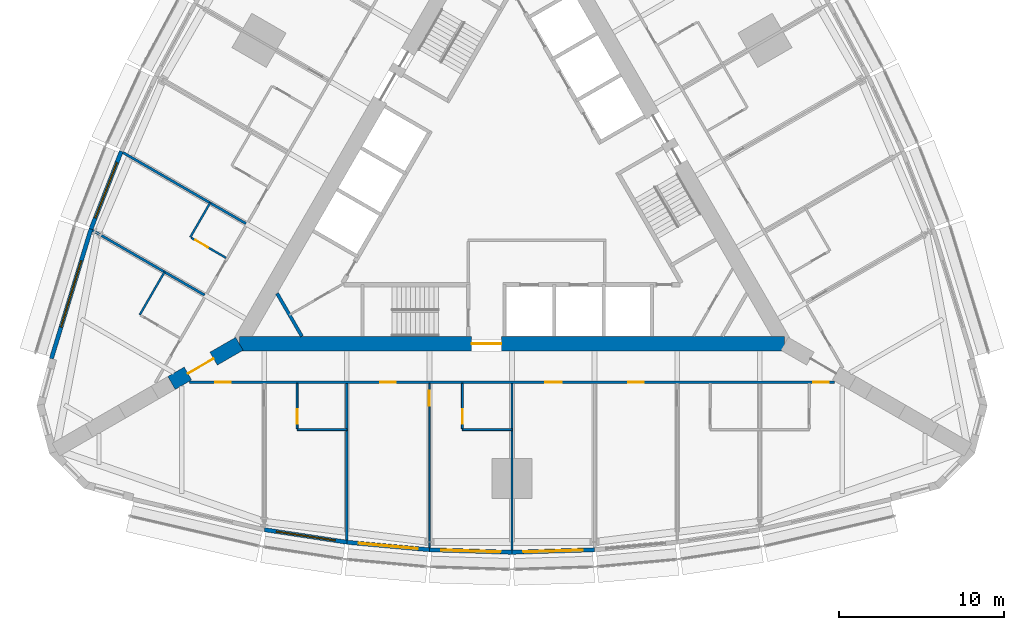
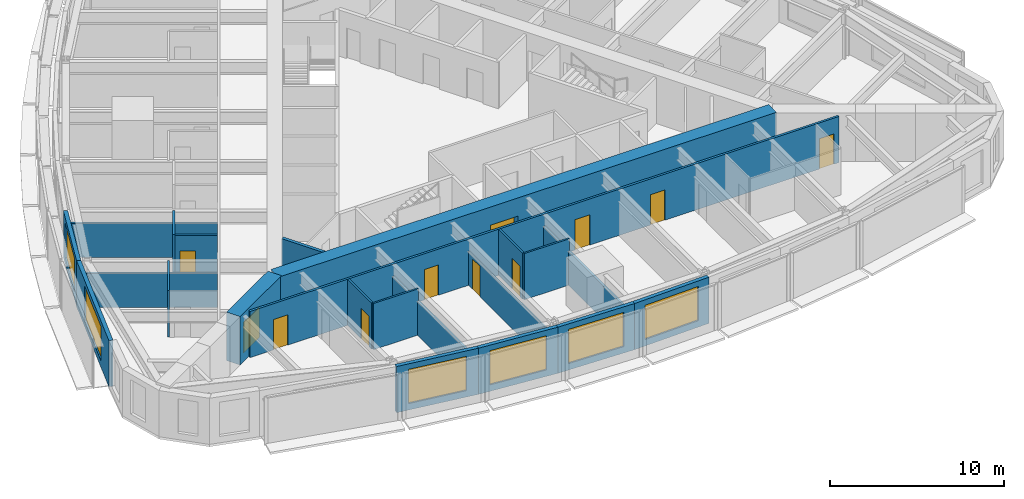
# One storey, part 8 of 14: 22 walls, 11 doors, 6 windows, 17 openings.
"""IFC4 building model written with IfcOpenShell, lengths in metres."""

from ifc_helpers import new_model, si_unit, direction, frame, frame_2d, origin, place, context, subcontext, project, spatial, rectangle, extrude, material, layer, layer_set, type_object, element, fill, save


model = new_model("IFC4")

# Units and contexts
model_context = context("Model", 3, precision=1e-05, world=origin(), true_north=direction((0.0, 1.0)))
body_context = subcontext(model_context, "Body", "Model", "MODEL_VIEW")
ifc_project = project(units=[si_unit("LENGTHUNIT", "METRE"), si_unit("AREAUNIT", "SQUARE_METRE"), si_unit("VOLUMEUNIT", "CUBIC_METRE"), si_unit("PLANEANGLEUNIT", "RADIAN"), si_unit("MASSUNIT", "GRAM", prefix="KILO")], contexts=[model_context])

# Site, building, storey
site_placement = place(None, origin())
site = spatial("IfcSite", under=ifc_project, at=site_placement, CompositionType="ELEMENT")
building_placement = place(site_placement, origin())
building = spatial("IfcBuilding", under=site, at=building_placement, Name="Trikona Tower", CompositionType="ELEMENT")
storey_placement = place(building_placement, frame((0.0, 0.0, 96.5)))
storey = spatial("IfcBuildingStorey", under=building, at=storey_placement, Name="L25", CompositionType="ELEMENT", Elevation=96.5)

# Wall
ifc_material_1 = material(Name="Metal stud and cement board", Category="gypsum")
ifc_layer_1 = layer(ifc_material_1, 0.1201171875)
ifc_layer_set_1 = layer_set([ifc_layer_1], Name="Bathroom wall 120")
wall_type_1 = type_object("IfcWallType", Name="Bathroom wall 120", PredefinedType="PLUMBINGWALL", material=ifc_layer_set_1)
wall_1_placement = place(storey_placement, frame((-13.0, -14.726318359375, 0.0), z_axis=(0.0, 0.0, 1.0), x_axis=(1.0, 0.0, 0.0)))
element("IfcWall", 1, at=wall_1_placement, inside=storey, type_object=wall_type_1, Name="Bathroom wall 2501.1", PredefinedType="PLUMBINGWALL", context=body_context, shape_type="SweptSolid", body=[
    extrude(rectangle(XDim=3.0, YDim=0.1201171875, at=frame_2d((1.5, 0.0))), origin(), (0.0, 0.0, 1.0), 3.235107421875),
])

# Wall, opening, door
wall_2_placement = place(storey_placement, frame((-13.0, -11.92626953125, 0.0), z_axis=(0.0, 0.0, 1.0), x_axis=(0.0, -1.0, 0.0)))
wall_2 = element("IfcWall", 2, at=wall_2_placement, inside=storey, type_object=wall_type_1, Name="Bathroom wall 2501.1", PredefinedType="PLUMBINGWALL", context=body_context, shape_type="SweptSolid", body=[
    extrude(rectangle(XDim=2.739990234375, YDim=0.1201171875, at=frame_2d((1.3701171875, 0.0))), origin(), (0.0, 0.0, 1.0), 3.235107421875),
])
opening_1_placement = place(wall_2_placement, frame((1.550048828125, 0.0, 0.0)))
opening_1 = element("IfcOpeningElement", 3, at=opening_1_placement, cuts=wall_2, Name="Opening D2", PredefinedType="OPENING", context=body_context, shape_type="SweptSolid", body=[
    extrude(rectangle(XDim=0.89990234375, YDim=2.1298828125, at=frame_2d((0.449951171875, 1.06494140625))), frame((0.0, 0.070068359375, 0.0), z_axis=(0.0, -1.0, 0.0), x_axis=(1.0, 0.0, 0.0)), (0.0, 0.0, 1.0), 0.14013671875),
])
ifc_material_2 = material(Name="Steel door frame with solid-core timber leaf", Category="steel")
door_type_1 = type_object("IfcDoorType", Name="Bathroom door 900x2130", OperationType="SLIDING_TO_LEFT", PredefinedType="DOOR", material=ifc_material_2)
door_1_placement = place(opening_1_placement, origin())
door_1 = element("IfcDoor", 4, at=door_1_placement, inside=storey, type_object=door_type_1, Name="Bathroom door 2501.1", OperationType="SLIDING_TO_LEFT", OverallHeight=2.1298828125, OverallWidth=0.89990234375, PredefinedType="DOOR", context=body_context, shape_type="SweptSolid", body=[
    extrude(rectangle(XDim=0.89990234375, YDim=2.1298828125, at=frame_2d((0.449951171875, 1.06494140625))), frame((0.0, 0.02490234375, 0.0), z_axis=(0.0, -1.0, 0.0), x_axis=(1.0, 0.0, 0.0)), (0.0, 0.0, 1.0), 0.050048828125),
])
fill(opening_1, door_1)

# Wall
wall_3_placement = place(storey_placement, frame((-3.0, -14.726318359375, 0.0), z_axis=(0.0, 0.0, 1.0), x_axis=(1.0, 0.0, 0.0)))
element("IfcWall", 5, at=wall_3_placement, inside=storey, type_object=wall_type_1, Name="Bathroom wall 2502.1", PredefinedType="PLUMBINGWALL", context=body_context, shape_type="SweptSolid", body=[
    extrude(rectangle(XDim=3.0, YDim=0.1201171875, at=frame_2d((1.5, 0.0))), origin(), (0.0, 0.0, 1.0), 3.235107421875),
])

# Wall, opening, door
wall_4_placement = place(storey_placement, frame((-3.0, -11.92626953125, 0.0), z_axis=(0.0, 0.0, 1.0), x_axis=(0.0, -1.0, 0.0)))
wall_4 = element("IfcWall", 6, at=wall_4_placement, inside=storey, type_object=wall_type_1, Name="Bathroom wall 2502.1", PredefinedType="PLUMBINGWALL", context=body_context, shape_type="SweptSolid", body=[
    extrude(rectangle(XDim=2.739990234375, YDim=0.1201171875, at=frame_2d((1.3701171875, 0.0))), origin(), (0.0, 0.0, 1.0), 3.235107421875),
])
opening_2_placement = place(wall_4_placement, frame((1.550048828125, 0.0, 0.0)))
opening_2 = element("IfcOpeningElement", 7, at=opening_2_placement, cuts=wall_4, Name="Opening D2", PredefinedType="OPENING", context=body_context, shape_type="SweptSolid", body=[
    extrude(rectangle(XDim=0.89990234375, YDim=2.1298828125, at=frame_2d((0.449951171875, 1.06494140625))), frame((0.0, 0.070068359375, 0.0), z_axis=(0.0, -1.0, 0.0), x_axis=(1.0, 0.0, 0.0)), (0.0, 0.0, 1.0), 0.14013671875),
])
door_2_placement = place(opening_2_placement, origin())
door_2 = element("IfcDoor", 8, at=door_2_placement, inside=storey, type_object=door_type_1, Name="Bathroom door 2502.1", OperationType="SLIDING_TO_LEFT", OverallHeight=2.1298828125, OverallWidth=0.89990234375, PredefinedType="DOOR", context=body_context, shape_type="SweptSolid", body=[
    extrude(rectangle(XDim=0.89990234375, YDim=2.1298828125, at=frame_2d((0.449951171875, 1.06494140625))), frame((0.0, 0.02490234375, 0.0), z_axis=(0.0, -1.0, 0.0), x_axis=(1.0, 0.0, 0.0)), (0.0, 0.0, 1.0), 0.050048828125),
])
fill(opening_2, door_2)

# Wall
wall_5_placement = place(storey_placement, frame((-18.27294921875, -0.9970703125, 0.0), z_axis=(0.0, 0.0, 1.0), x_axis=(-0.499957262057, -0.866050077142, 0.0)))
element("IfcWall", 9, at=wall_5_placement, inside=storey, type_object=wall_type_1, Name="Bathroom wall 2513", PredefinedType="PLUMBINGWALL", context=body_context, shape_type="SweptSolid", body=[
    extrude(rectangle(XDim=2.400146484375, YDim=0.1201171875, at=frame_2d((1.2001953125, 0.0))), origin(), (0.0, 0.0, 1.0), 3.235107421875),
])

# Wall, opening, door
wall_6_placement = place(storey_placement, frame((-17.307861328125, -4.32568359375, 0.0), z_axis=(0.0, 0.0, 1.0), x_axis=(-0.866023955769, 0.500002508028, 0.0)))
wall_6 = element("IfcWall", 10, at=wall_6_placement, inside=storey, type_object=wall_type_1, Name="Bathroom wall 2513", PredefinedType="PLUMBINGWALL", context=body_context, shape_type="SweptSolid", body=[
    extrude(rectangle(XDim=2.43994140625, YDim=0.1201171875, at=frame_2d((1.219970703125, 0.0))), origin(), (0.0, 0.0, 1.0), 3.235107421875),
])
opening_3_placement = place(wall_6_placement, frame((1.25, 0.0, 0.0)))
opening_3 = element("IfcOpeningElement", 11, at=opening_3_placement, cuts=wall_6, Name="Opening D2", PredefinedType="OPENING", context=body_context, shape_type="SweptSolid", body=[
    extrude(rectangle(XDim=0.89990234375, YDim=2.1298828125, at=frame_2d((0.449951171875, 1.06494140625))), frame((0.0, 0.070068359375, 0.0), z_axis=(0.0, -1.0, 0.0), x_axis=(1.0, 0.0, 0.0)), (0.0, 0.0, 1.0), 0.14013671875),
])
door_3_placement = place(opening_3_placement, origin())
door_3 = element("IfcDoor", 12, at=door_3_placement, inside=storey, type_object=door_type_1, Name="Bathroom door 2513", OperationType="SLIDING_TO_LEFT", OverallHeight=2.1298828125, OverallWidth=0.89990234375, PredefinedType="DOOR", context=body_context, shape_type="SweptSolid", body=[
    extrude(rectangle(XDim=0.89990234375, YDim=2.1298828125, at=frame_2d((0.449951171875, 1.06494140625))), frame((0.0, 0.02490234375, 0.0), z_axis=(0.0, -1.0, 0.0), x_axis=(1.0, 0.0, 0.0)), (0.0, 0.0, 1.0), 0.050048828125),
])
fill(opening_3, door_3)

# Wall
wall_7_placement = place(storey_placement, frame((-21.03271484375, -5.17724609375, 0.0), z_axis=(0.0, 0.0, 1.0), x_axis=(-0.499990139034, -0.866031096941, 0.0)))
element("IfcWall", 13, at=wall_7_placement, inside=storey, type_object=wall_type_1, Name="Bathroom wall 2514", PredefinedType="PLUMBINGWALL", context=body_context, shape_type="SweptSolid", body=[
    extrude(rectangle(XDim=3.0, YDim=0.1201171875, at=frame_2d((1.5, 0.0))), origin(), (0.0, 0.0, 1.0), 3.235107421875),
])

# Wall, opening, door
ifc_material_3 = material(Name="Concrete f'c 10000 psi", Category="concrete")
ifc_layer_2 = layer(ifc_material_3, 0.89990234375)
ifc_layer_set_2 = layer_set([ifc_layer_2], Name="Buttress wall 900")
wall_type_2 = type_object("IfcWallType", Name="Buttress wall 900", PredefinedType="SHEAR", material=ifc_layer_set_2)
wall_8_placement = place(storey_placement, frame((-16.5, -9.5263671875, 0.0), z_axis=(0.0, 0.0, 1.0), x_axis=(-0.866031398331, -0.499989616998, 0.0)))
wall_8 = element("IfcWall", 14, at=wall_8_placement, inside=storey, type_object=wall_type_2, Name="Buttress wall 3", PredefinedType="SHEAR", context=body_context, shape_type="SweptSolid", body=[
    extrude(rectangle(XDim=4.74609375, YDim=0.89990234375, at=frame_2d((2.373046875, 0.0))), origin(), (0.0, 0.0, 1.0), 3.39990234375),
])
opening_4_placement = place(wall_8_placement, frame((1.800048828125, 0.0, 0.0)))
opening_4 = element("IfcOpeningElement", 15, at=opening_4_placement, cuts=wall_8, Name="Opening D10", PredefinedType="OPENING", context=body_context, shape_type="SweptSolid", body=[
    extrude(rectangle(XDim=1.800048828125, YDim=2.1298828125, at=frame_2d((0.89990234375, 1.06494140625))), frame((0.0, 0.4599609375, 0.0), z_axis=(0.0, -1.0, 0.0), x_axis=(1.0, 0.0, 0.0)), (0.0, 0.0, 1.0), 0.919921875),
])
ifc_material_4 = material(Name="Hollow metal door and frame", Category="steel")
door_type_2 = type_object("IfcDoorType", Name="Cross-corridor door pair 1800x2130", OperationType="DOUBLE_DOOR_DOUBLE_SWING", PredefinedType="DOOR", material=ifc_material_4)
door_4_placement = place(opening_4_placement, origin())
door_4 = element("IfcDoor", 16, at=door_4_placement, inside=storey, type_object=door_type_2, Name="Cross-corridor door 3", OperationType="DOUBLE_DOOR_DOUBLE_SWING", OverallHeight=2.1298828125, OverallWidth=1.800048828125, PredefinedType="DOOR", context=body_context, shape_type="SweptSolid", body=[
    extrude(rectangle(XDim=1.800048828125, YDim=2.1298828125, at=frame_2d((0.89990234375, 1.06494140625))), frame((0.0, 0.02490234375, 0.0), z_axis=(0.0, -1.0, 0.0), x_axis=(1.0, 0.0, 0.0)), (0.0, 0.0, 1.0), 0.050048828125),
])
fill(opening_4, door_4)

ifc_material_5 = material(Name="Concrete f'c 10000 psi", Category="concrete")
ifc_layer_3 = layer(ifc_material_5, 0.89990234375)
ifc_layer_set_3 = layer_set([ifc_layer_3], Name="Core wall 900")
wall_type_3 = type_object("IfcWallType", Name="Core wall 900", PredefinedType="SHEAR", material=ifc_layer_set_3)
wall_9_placement = place(storey_placement, frame((-16.5, -9.5263671875, 0.0), z_axis=(0.0, 0.0, 1.0), x_axis=(1.0, 0.0, 0.0)))
wall_9 = element("IfcWall", 17, at=wall_9_placement, inside=storey, type_object=wall_type_3, Name="Core wall A", PredefinedType="SHEAR", context=body_context, shape_type="SweptSolid", body=[
    extrude(rectangle(XDim=33.0, YDim=0.89990234375, at=frame_2d((16.5, 0.0))), origin(), (0.0, 0.0, 1.0), 3.39990234375),
])
opening_5_placement = place(wall_9_placement, frame((14.050048828125, 0.0, 0.0)))
opening_5 = element("IfcOpeningElement", 18, at=opening_5_placement, cuts=wall_9, Name="Opening D6", PredefinedType="OPENING", context=body_context, shape_type="SweptSolid", body=[
    extrude(rectangle(XDim=1.800048828125, YDim=2.1298828125, at=frame_2d((0.89990234375, 1.06494140625))), frame((0.0, 0.4599609375, 0.0), z_axis=(0.0, -1.0, 0.0), x_axis=(1.0, 0.0, 0.0)), (0.0, 0.0, 1.0), 0.919921875),
])
ifc_material_6 = material(Name="Hollow metal door and frame", Category="steel")
door_type_3 = type_object("IfcDoorType", Name="Lobby door pair 1800x2130", OperationType="DOUBLE_DOOR_SINGLE_SWING", PredefinedType="DOOR", material=ifc_material_6)
door_5_placement = place(opening_5_placement, origin())
door_5 = element("IfcDoor", 19, at=door_5_placement, inside=storey, type_object=door_type_3, Name="Fire service lift lobby door", OperationType="DOUBLE_DOOR_SINGLE_SWING", OverallHeight=2.1298828125, OverallWidth=1.800048828125, PredefinedType="DOOR", context=body_context, shape_type="SweptSolid", body=[
    extrude(rectangle(XDim=1.800048828125, YDim=2.1298828125, at=frame_2d((0.89990234375, 1.06494140625))), frame((0.0, 0.02490234375, 0.0), z_axis=(0.0, -1.0, 0.0), x_axis=(1.0, 0.0, 0.0)), (0.0, 0.0, 1.0), 0.050048828125),
])
fill(opening_5, door_5)

# Wall, openings, doors
ifc_material_7 = material(Name="Metal stud and gypsum board, 1-hour", Category="gypsum")
ifc_layer_4 = layer(ifc_material_7, 0.14990234375)
ifc_layer_set_4 = layer_set([ifc_layer_4], Name="Corridor wall 150")
wall_type_4 = type_object("IfcWallType", Name="Corridor wall 150", PredefinedType="PARTITIONING", material=ifc_layer_set_4)
wall_10_placement = place(storey_placement, frame((-19.527099609375, -11.851318359375, 0.0), z_axis=(0.0, 0.0, 1.0), x_axis=(1.0, 0.0, 0.0)))
wall_10 = element("IfcWall", 20, at=wall_10_placement, inside=storey, type_object=wall_type_4, Name="Corridor wall L25-1", PredefinedType="PARTITIONING", context=body_context, shape_type="SweptSolid", body=[
    extrude(rectangle(XDim=39.05419921875, YDim=0.14990234375, at=frame_2d((19.527099609375, 0.0))), origin(), (0.0, 0.0, 1.0), 3.235107421875),
])
opening_6_placement = place(wall_10_placement, frame((1.558349609375, 0.0, 0.0)))
opening_6 = element("IfcOpeningElement", 21, at=opening_6_placement, cuts=wall_10, Name="Opening D1", PredefinedType="OPENING", context=body_context, shape_type="SweptSolid", body=[
    extrude(rectangle(XDim=0.949951171875, YDim=2.1298828125, at=frame_2d((0.47509765625, 1.06494140625))), frame((0.0, 0.0849609375, 0.0), z_axis=(0.0, -1.0, 0.0), x_axis=(1.0, 0.0, 0.0)), (0.0, 0.0, 1.0), 0.169921875),
])
opening_7_placement = place(wall_10_placement, frame((11.552001953125, 0.0, 0.0)))
opening_7 = element("IfcOpeningElement", 22, at=opening_7_placement, cuts=wall_10, Name="Opening D1", PredefinedType="OPENING", context=body_context, shape_type="SweptSolid", body=[
    extrude(rectangle(XDim=0.949951171875, YDim=2.1298828125, at=frame_2d((0.47509765625, 1.06494140625))), frame((0.0, 0.0849609375, 0.0), z_axis=(0.0, -1.0, 0.0), x_axis=(1.0, 0.0, 0.0)), (0.0, 0.0, 1.0), 0.169921875),
])
opening_8_placement = place(wall_10_placement, frame((21.527099609375, 0.0, 0.0)))
opening_8 = element("IfcOpeningElement", 23, at=opening_8_placement, cuts=wall_10, Name="Opening D3", PredefinedType="OPENING", context=body_context, shape_type="SweptSolid", body=[
    extrude(rectangle(XDim=1.0, YDim=2.1298828125, at=frame_2d((0.5, 1.06494140625))), frame((0.0, 0.0849609375, 0.0), z_axis=(0.0, -1.0, 0.0), x_axis=(1.0, 0.0, 0.0)), (0.0, 0.0, 1.0), 0.169921875),
])
opening_9_placement = place(wall_10_placement, frame((26.552001953125, 0.0, 0.0)))
opening_9 = element("IfcOpeningElement", 24, at=opening_9_placement, cuts=wall_10, Name="Opening D1", PredefinedType="OPENING", context=body_context, shape_type="SweptSolid", body=[
    extrude(rectangle(XDim=0.949951171875, YDim=2.1298828125, at=frame_2d((0.47509765625, 1.06494140625))), frame((0.0, 0.0849609375, 0.0), z_axis=(0.0, -1.0, 0.0), x_axis=(1.0, 0.0, 0.0)), (0.0, 0.0, 1.0), 0.169921875),
])
opening_10_placement = place(wall_10_placement, frame((37.751953125, 0.0, 0.0)))
opening_10 = element("IfcOpeningElement", 25, at=opening_10_placement, cuts=wall_10, Name="Opening D1", PredefinedType="OPENING", context=body_context, shape_type="SweptSolid", body=[
    extrude(rectangle(XDim=0.949951171875, YDim=2.1298828125, at=frame_2d((0.47509765625, 1.06494140625))), frame((0.0, 0.0849609375, 0.0), z_axis=(0.0, -1.0, 0.0), x_axis=(1.0, 0.0, 0.0)), (0.0, 0.0, 1.0), 0.169921875),
])
ifc_material_8 = material(Name="Steel door frame with solid-core timber leaf", Category="steel")
door_type_4 = type_object("IfcDoorType", Name="Guest room door 950x2130", OperationType="SINGLE_SWING_LEFT", PredefinedType="DOOR", material=ifc_material_8)
door_6_placement = place(opening_6_placement, origin())
door_6 = element("IfcDoor", 26, at=door_6_placement, inside=storey, type_object=door_type_4, Name="Room door 2501", OperationType="SINGLE_SWING_LEFT", OverallHeight=2.1298828125, OverallWidth=0.949951171875, PredefinedType="DOOR", context=body_context, shape_type="SweptSolid", body=[
    extrude(rectangle(XDim=0.949951171875, YDim=2.1298828125, at=frame_2d((0.47509765625, 1.06494140625))), frame((0.0, 0.02490234375, 0.0), z_axis=(0.0, -1.0, 0.0), x_axis=(1.0, 0.0, 0.0)), (0.0, 0.0, 1.0), 0.050048828125),
])
fill(opening_6, door_6)
door_7_placement = place(opening_7_placement, origin())
door_7 = element("IfcDoor", 27, at=door_7_placement, inside=storey, type_object=door_type_4, Name="Room door 2502", OperationType="SINGLE_SWING_RIGHT", OverallHeight=2.1298828125, OverallWidth=0.949951171875, PredefinedType="DOOR", context=body_context, shape_type="SweptSolid", body=[
    extrude(rectangle(XDim=0.949951171875, YDim=2.1298828125, at=frame_2d((0.47509765625, 1.06494140625))), frame((0.0, 0.02490234375, 0.0), z_axis=(0.0, -1.0, 0.0), x_axis=(1.0, 0.0, 0.0)), (0.0, 0.0, 1.0), 0.050048828125),
])
fill(opening_7, door_7)
door_8_placement = place(opening_9_placement, origin())
door_8 = element("IfcDoor", 28, at=door_8_placement, inside=storey, type_object=door_type_4, Name="Room door 2503", OperationType="SINGLE_SWING_RIGHT", OverallHeight=2.1298828125, OverallWidth=0.949951171875, PredefinedType="DOOR", context=body_context, shape_type="SweptSolid", body=[
    extrude(rectangle(XDim=0.949951171875, YDim=2.1298828125, at=frame_2d((0.47509765625, 1.06494140625))), frame((0.0, 0.02490234375, 0.0), z_axis=(0.0, -1.0, 0.0), x_axis=(1.0, 0.0, 0.0)), (0.0, 0.0, 1.0), 0.050048828125),
])
fill(opening_9, door_8)
door_9_placement = place(opening_10_placement, origin())
door_9 = element("IfcDoor", 29, at=door_9_placement, inside=storey, type_object=door_type_4, Name="Room door 2504", OperationType="SINGLE_SWING_RIGHT", OverallHeight=2.1298828125, OverallWidth=0.949951171875, PredefinedType="DOOR", context=body_context, shape_type="SweptSolid", body=[
    extrude(rectangle(XDim=0.949951171875, YDim=2.1298828125, at=frame_2d((0.47509765625, 1.06494140625))), frame((0.0, 0.02490234375, 0.0), z_axis=(0.0, -1.0, 0.0), x_axis=(1.0, 0.0, 0.0)), (0.0, 0.0, 1.0), 0.050048828125),
])
fill(opening_10, door_9)
ifc_material_9 = material(Name="Steel door frame with solid-core timber leaf", Category="steel")
door_type_5 = type_object("IfcDoorType", Name="Room door 1000x2130", OperationType="SINGLE_SWING_LEFT", PredefinedType="DOOR", material=ifc_material_9)
door_10_placement = place(opening_8_placement, origin())
door_10 = element("IfcDoor", 30, at=door_10_placement, inside=storey, type_object=door_type_5, Name="Door Housekeeping pantry", OperationType="SINGLE_SWING_LEFT", OverallHeight=2.1298828125, OverallWidth=1.0, PredefinedType="DOOR", context=body_context, shape_type="SweptSolid", body=[
    extrude(rectangle(XDim=1.0, YDim=2.1298828125, at=frame_2d((0.5, 1.06494140625))), frame((0.0, 0.02490234375, 0.0), z_axis=(0.0, -1.0, 0.0), x_axis=(1.0, 0.0, 0.0)), (0.0, 0.0, 1.0), 0.050048828125),
])
fill(opening_8, door_10)

# Wall, opening, window
ifc_material_10 = material(Name="Insulated precast concrete spandrel panel", Category="concrete")
ifc_layer_5 = layer(ifc_material_10, 0.25)
ifc_layer_set_5 = layer_set([ifc_layer_5], Name="Inner skin wall 250")
wall_type_5 = type_object("IfcWallType", Name="Inner skin wall 250", PredefinedType="STANDARD", material=ifc_layer_set_5)
wall_11_placement = place(storey_placement, frame((-14.981201171875, -20.779296875, 0.0), z_axis=(0.0, 0.0, 1.0), x_axis=(0.988615403399, -0.150464561152, 0.0)))
wall_11 = element("IfcWall", 31, at=wall_11_placement, inside=storey, type_object=wall_type_5, Name="External wall L25-01", PredefinedType="STANDARD", context=body_context, shape_type="SweptSolid", body=[
    extrude(rectangle(XDim=5.0576171875, YDim=0.25, at=frame_2d((2.52880859375, 0.0))), origin(), (0.0, 0.0, 1.0), 3.235107421875),
])
opening_11_placement = place(wall_11_placement, frame((0.728759765625, 0.0, 0.449951171875)))
opening_11 = element("IfcOpeningElement", 32, at=opening_11_placement, cuts=wall_11, Name="Opening W3624", PredefinedType="OPENING", context=body_context, shape_type="SweptSolid", body=[
    extrude(rectangle(XDim=3.60009765625, YDim=2.39990234375, at=frame_2d((1.800048828125, 1.199951171875))), frame((0.0, 0.135009765625, 0.0), z_axis=(0.0, -1.0, 0.0), x_axis=(1.0, 0.0, 0.0)), (0.0, 0.0, 1.0), 0.27001953125),
])
ifc_material_11 = material(Name="Aluminium-framed double glazing", Category="aluminium")
window_type_1 = type_object("IfcWindowType", Name="Window 3600x2400", PartitioningType="SINGLE_PANEL", PredefinedType="WINDOW", material=ifc_material_11)
window_1_placement = place(opening_11_placement, origin())
window_1 = element("IfcWindow", 33, at=window_1_placement, inside=storey, type_object=window_type_1, Name="Window 2501.1", OverallHeight=2.39990234375, OverallWidth=3.60009765625, PartitioningType="SINGLE_PANEL", PredefinedType="WINDOW", context=body_context, shape_type="SweptSolid", body=[
    extrude(rectangle(XDim=3.60009765625, YDim=2.39990234375, at=frame_2d((1.800048828125, 1.199951171875))), frame((0.0, 0.030029296875, 0.0), z_axis=(0.0, -1.0, 0.0), x_axis=(1.0, 0.0, 0.0)), (0.0, 0.0, 1.0), 0.06005859375),
])
fill(opening_11, window_1)

wall_12_placement = place(storey_placement, frame((-9.988525390625, -21.539306640625, 0.0), z_axis=(0.0, 0.0, 1.0), x_axis=(0.995857256774, -0.090930325692, 0.0)))
wall_12 = element("IfcWall", 34, at=wall_12_placement, inside=storey, type_object=wall_type_5, Name="External wall L25-02", PredefinedType="STANDARD", context=body_context, shape_type="SweptSolid", body=[
    extrude(rectangle(XDim=5.020751953125, YDim=0.25, at=frame_2d((2.51025390625, 0.0))), origin(), (0.0, 0.0, 1.0), 3.235107421875),
])
opening_12_placement = place(wall_12_placement, frame((0.71044921875, 0.0, 0.449951171875)))
opening_12 = element("IfcOpeningElement", 35, at=opening_12_placement, cuts=wall_12, Name="Opening W3624", PredefinedType="OPENING", context=body_context, shape_type="SweptSolid", body=[
    extrude(rectangle(XDim=3.60009765625, YDim=2.39990234375, at=frame_2d((1.800048828125, 1.199951171875))), frame((0.0, 0.135009765625, 0.0), z_axis=(0.0, -1.0, 0.0), x_axis=(1.0, 0.0, 0.0)), (0.0, 0.0, 1.0), 0.27001953125),
])
window_2_placement = place(opening_12_placement, origin())
window_2 = element("IfcWindow", 36, at=window_2_placement, inside=storey, type_object=window_type_1, Name="Window 2502", OverallHeight=2.39990234375, OverallWidth=3.60009765625, PartitioningType="SINGLE_PANEL", PredefinedType="WINDOW", context=body_context, shape_type="SweptSolid", body=[
    extrude(rectangle(XDim=3.60009765625, YDim=2.39990234375, at=frame_2d((1.800048828125, 1.199951171875))), frame((0.0, 0.030029296875, 0.0), z_axis=(0.0, -1.0, 0.0), x_axis=(1.0, 0.0, 0.0)), (0.0, 0.0, 1.0), 0.06005859375),
])
fill(opening_12, window_2)

wall_13_placement = place(storey_placement, frame((-4.99609375, -21.99560546875, 0.0), z_axis=(0.0, 0.0, 1.0), x_axis=(0.999537635046, -0.030405856769, 0.0)))
wall_13 = element("IfcWall", 37, at=wall_13_placement, inside=storey, type_object=wall_type_5, Name="External wall L25-03", PredefinedType="STANDARD", context=body_context, shape_type="SweptSolid", body=[
    extrude(rectangle(XDim=5.002197265625, YDim=0.25, at=frame_2d((2.5009765625, 0.0))), origin(), (0.0, 0.0, 1.0), 3.235107421875),
])
opening_13_placement = place(wall_13_placement, frame((0.701171875, 0.0, 0.449951171875)))
opening_13 = element("IfcOpeningElement", 38, at=opening_13_placement, cuts=wall_13, Name="Opening W3624", PredefinedType="OPENING", context=body_context, shape_type="SweptSolid", body=[
    extrude(rectangle(XDim=3.60009765625, YDim=2.39990234375, at=frame_2d((1.800048828125, 1.199951171875))), frame((0.0, 0.135009765625, 0.0), z_axis=(0.0, -1.0, 0.0), x_axis=(1.0, 0.0, 0.0)), (0.0, 0.0, 1.0), 0.27001953125),
])
window_3_placement = place(opening_13_placement, origin())
window_3 = element("IfcWindow", 39, at=window_3_placement, inside=storey, type_object=window_type_1, Name="Window 2502.1", OverallHeight=2.39990234375, OverallWidth=3.60009765625, PartitioningType="SINGLE_PANEL", PredefinedType="WINDOW", context=body_context, shape_type="SweptSolid", body=[
    extrude(rectangle(XDim=3.60009765625, YDim=2.39990234375, at=frame_2d((1.800048828125, 1.199951171875))), frame((0.0, 0.030029296875, 0.0), z_axis=(0.0, -1.0, 0.0), x_axis=(1.0, 0.0, 0.0)), (0.0, 0.0, 1.0), 0.06005859375),
])
fill(opening_13, window_3)

wall_14_placement = place(storey_placement, frame((-0.00390625, -22.147705078125, 0.0), z_axis=(0.0, 0.0, 1.0), x_axis=(0.999537635046, 0.030405856769, 0.0)))
wall_14 = element("IfcWall", 40, at=wall_14_placement, inside=storey, type_object=wall_type_5, Name="External wall L25-04", PredefinedType="STANDARD", context=body_context, shape_type="SweptSolid", body=[
    extrude(rectangle(XDim=5.002197265625, YDim=0.25, at=frame_2d((2.5009765625, 0.0))), origin(), (0.0, 0.0, 1.0), 3.235107421875),
])
opening_14_placement = place(wall_14_placement, frame((0.701171875, 0.0, 0.449951171875)))
opening_14 = element("IfcOpeningElement", 41, at=opening_14_placement, cuts=wall_14, Name="Opening W3624", PredefinedType="OPENING", context=body_context, shape_type="SweptSolid", body=[
    extrude(rectangle(XDim=3.60009765625, YDim=2.39990234375, at=frame_2d((1.800048828125, 1.199951171875))), frame((0.0, 0.135009765625, 0.0), z_axis=(0.0, -1.0, 0.0), x_axis=(1.0, 0.0, 0.0)), (0.0, 0.0, 1.0), 0.27001953125),
])
window_4_placement = place(opening_14_placement, origin())
window_4 = element("IfcWindow", 42, at=window_4_placement, inside=storey, type_object=window_type_1, Name="Window L25-HKP", OverallHeight=2.39990234375, OverallWidth=3.60009765625, PartitioningType="SINGLE_PANEL", PredefinedType="WINDOW", context=body_context, shape_type="SweptSolid", body=[
    extrude(rectangle(XDim=3.60009765625, YDim=2.39990234375, at=frame_2d((1.800048828125, 1.199951171875))), frame((0.0, 0.030029296875, 0.0), z_axis=(0.0, -1.0, 0.0), x_axis=(1.0, 0.0, 0.0)), (0.0, 0.0, 1.0), 0.06005859375),
])
fill(opening_14, window_4)

wall_15_placement = place(storey_placement, frame((-23.64501953125, 2.126220703125, 0.0), z_axis=(0.0, 0.0, 1.0), x_axis=(-0.364013463868, -0.931393685894, 0.0)))
wall_15 = element("IfcWall", 43, at=wall_15_placement, inside=storey, type_object=wall_type_5, Name="External wall L25-30", PredefinedType="STANDARD", context=body_context, shape_type="SweptSolid", body=[
    extrude(rectangle(XDim=5.0576171875, YDim=0.25, at=frame_2d((2.52880859375, 0.0))), origin(), (0.0, 0.0, 1.0), 3.235107421875),
])
opening_15_placement = place(wall_15_placement, frame((0.728759765625, 0.0, 0.449951171875)))
opening_15 = element("IfcOpeningElement", 44, at=opening_15_placement, cuts=wall_15, Name="Opening W3624", PredefinedType="OPENING", context=body_context, shape_type="SweptSolid", body=[
    extrude(rectangle(XDim=3.60009765625, YDim=2.39990234375, at=frame_2d((1.800048828125, 1.199951171875))), frame((0.0, 0.135009765625, 0.0), z_axis=(0.0, -1.0, 0.0), x_axis=(1.0, 0.0, 0.0)), (0.0, 0.0, 1.0), 0.27001953125),
])
window_5_placement = place(opening_15_placement, origin())
window_5 = element("IfcWindow", 45, at=window_5_placement, inside=storey, type_object=window_type_1, Name="Window 2513", OverallHeight=2.39990234375, OverallWidth=3.60009765625, PartitioningType="SINGLE_PANEL", PredefinedType="WINDOW", context=body_context, shape_type="SweptSolid", body=[
    extrude(rectangle(XDim=3.60009765625, YDim=2.39990234375, at=frame_2d((1.800048828125, 1.199951171875))), frame((0.0, 0.030029296875, 0.0), z_axis=(0.0, -1.0, 0.0), x_axis=(1.0, 0.0, 0.0)), (0.0, 0.0, 1.0), 0.06005859375),
])
fill(opening_15, window_5)

wall_16_placement = place(storey_placement, frame((-25.48291015625, -2.575439453125, 0.0), z_axis=(0.0, 0.0, 1.0), x_axis=(-0.2919790669, -0.956424709265, 0.0)))
wall_16 = element("IfcWall", 46, at=wall_16_placement, inside=storey, type_object=wall_type_5, Name="External wall L25-31", PredefinedType="STANDARD", context=body_context, shape_type="SweptSolid", body=[
    extrude(rectangle(XDim=8.211181640625, YDim=0.25, at=frame_2d((4.10546875, 0.0))), origin(), (0.0, 0.0, 1.0), 3.235107421875),
])
opening_16_placement = place(wall_16_placement, frame((2.005615234375, 0.0, 0.449951171875)))
opening_16 = element("IfcOpeningElement", 47, at=opening_16_placement, cuts=wall_16, Name="Opening W4224", PredefinedType="OPENING", context=body_context, shape_type="SweptSolid", body=[
    extrude(rectangle(XDim=4.199951171875, YDim=2.39990234375, at=frame_2d((2.10009765625, 1.199951171875))), frame((0.0, 0.135009765625, 0.0), z_axis=(0.0, -1.0, 0.0), x_axis=(1.0, 0.0, 0.0)), (0.0, 0.0, 1.0), 0.27001953125),
])
ifc_material_12 = material(Name="Aluminium-framed double glazing", Category="aluminium")
window_type_2 = type_object("IfcWindowType", Name="Window 4200x2400", PartitioningType="SINGLE_PANEL", PredefinedType="WINDOW", material=ifc_material_12)
window_6_placement = place(opening_16_placement, origin())
window_6 = element("IfcWindow", 48, at=window_6_placement, inside=storey, type_object=window_type_2, Name="Window 2514", OverallHeight=2.39990234375, OverallWidth=4.199951171875, PartitioningType="SINGLE_PANEL", PredefinedType="WINDOW", context=body_context, shape_type="SweptSolid", body=[
    extrude(rectangle(XDim=4.199951171875, YDim=2.39990234375, at=frame_2d((2.10009765625, 1.199951171875))), frame((0.0, 0.030029296875, 0.0), z_axis=(0.0, -1.0, 0.0), x_axis=(1.0, 0.0, 0.0)), (0.0, 0.0, 1.0), 0.06005859375),
])
fill(opening_16, window_6)

# Walls
ifc_material_13 = material(Name="Metal stud and gypsum board, 1-hour acoustic", Category="gypsum")
ifc_layer_6 = layer(ifc_material_13, 0.14990234375)
ifc_layer_set_6 = layer_set([ifc_layer_6], Name="Party wall 150")
wall_type_6 = type_object("IfcWallType", Name="Party wall 150", PredefinedType="PARTITIONING", material=ifc_layer_set_6)
wall_17_placement = place(storey_placement, frame((-10.0, -11.92626953125, 0.0), z_axis=(0.0, 0.0, 1.0), x_axis=(0.0, -1.0, 0.0)))
element("IfcWall", 49, at=wall_17_placement, inside=storey, type_object=wall_type_6, Name="Partition L25 F1 u-10", PredefinedType="PARTITIONING", context=body_context, shape_type="SweptSolid", body=[
    extrude(rectangle(XDim=9.484619140625, YDim=0.14990234375, at=frame_2d((4.7421875, 0.0))), origin(), (0.0, 0.0, 1.0), 2.38916015625),
])
wall_18_placement = place(storey_placement, frame((0.0, -11.92626953125, 0.0), z_axis=(0.0, 0.0, 1.0), x_axis=(0.0, -1.0, 0.0)))
element("IfcWall", 50, at=wall_18_placement, inside=storey, type_object=wall_type_6, Name="Partition L25 F1 u-1.03538e-30", PredefinedType="PARTITIONING", context=body_context, shape_type="SweptSolid", body=[
    extrude(rectangle(XDim=10.09619140625, YDim=0.14990234375, at=frame_2d((5.048095703125, 0.0))), origin(), (0.0, 0.0, 1.0), 2.38916015625),
])
wall_19_placement = place(storey_placement, frame((-16.10791015625, -2.2470703125, 0.0), z_axis=(0.0, 0.0, 1.0), x_axis=(-0.866018881988, 0.500011295912, 0.0)))
element("IfcWall", 51, at=wall_19_placement, inside=storey, type_object=wall_type_6, Name="Partition L25 F3 u10", PredefinedType="PARTITIONING", context=body_context, shape_type="SweptSolid", body=[
    extrude(rectangle(XDim=8.584716796875, YDim=0.14990234375, at=frame_2d((4.29248046875, 0.0))), origin(), (0.0, 0.0, 1.0), 2.38916015625),
])
wall_20_placement = place(storey_placement, frame((-18.60791015625, -6.5771484375, 0.0), z_axis=(0.0, 0.0, 1.0), x_axis=(-0.866034818847, 0.499983692279, 0.0)))
element("IfcWall", 52, at=wall_20_placement, inside=storey, type_object=wall_type_6, Name="Partition L25 F3 u15", PredefinedType="PARTITIONING", context=body_context, shape_type="SweptSolid", body=[
    extrude(rectangle(XDim=7.820068359375, YDim=0.14990234375, at=frame_2d((3.91015625, 0.0))), origin(), (0.0, 0.0, 1.0), 2.38916015625),
])
ifc_material_14 = material(Name="Concrete f'c 8000 psi", Category="concrete")
ifc_layer_7 = layer(ifc_material_14, 0.199951171875)
ifc_layer_set_7 = layer_set([ifc_layer_7], Name="Shaft wall 200")
wall_type_7 = type_object("IfcWallType", Name="Shaft wall 200", PredefinedType="SOLIDWALL", material=ifc_layer_set_7)
wall_21_placement = place(storey_placement, frame((-12.718505859375, -9.076416015625, 0.0), z_axis=(0.0, 0.0, 1.0), x_axis=(-0.499952404951, 0.866052881055, 0.0)))
element("IfcWall", 53, at=wall_21_placement, inside=storey, type_object=wall_type_7, Name="Riser wall L25-RS3", PredefinedType="SOLIDWALL", context=body_context, shape_type="SweptSolid", body=[
    extrude(rectangle(XDim=3.002197265625, YDim=0.199951171875, at=frame_2d((1.5009765625, 0.0))), origin(), (0.0, 0.0, 1.0), 3.235107421875),
])

# Wall, opening, door
ifc_material_15 = material(Name="Metal stud and gypsum board, acoustic", Category="gypsum")
ifc_layer_8 = layer(ifc_material_15, 0.10009765625)
ifc_layer_set_8 = layer_set([ifc_layer_8], Name="Suite partition 100")
wall_type_8 = type_object("IfcWallType", Name="Suite partition 100", PredefinedType="PARTITIONING", material=ifc_layer_set_8)
wall_22_placement = place(storey_placement, frame((-5.0, -11.92626953125, 0.0), z_axis=(0.0, 0.0, 1.0), x_axis=(0.0, -1.0, 0.0)))
wall_22 = element("IfcWall", 54, at=wall_22_placement, inside=storey, type_object=wall_type_8, Name="Suite partition L25 F1 u-5", PredefinedType="PARTITIONING", context=body_context, shape_type="SweptSolid", body=[
    extrude(rectangle(XDim=9.943115234375, YDim=0.10009765625, at=frame_2d((4.9716796875, 0.0))), origin(), (0.0, 0.0, 1.0), 2.38916015625),
])
opening_17_placement = place(wall_22_placement, frame((0.449951171875, 0.0, 0.0)))
opening_17 = element("IfcOpeningElement", 55, at=opening_17_placement, cuts=wall_22, Name="Opening D13", PredefinedType="OPENING", context=body_context, shape_type="SweptSolid", body=[
    extrude(rectangle(XDim=0.89990234375, YDim=2.1298828125, at=frame_2d((0.449951171875, 1.06494140625))), frame((0.0, 0.06005859375, 0.0), z_axis=(0.0, -1.0, 0.0), x_axis=(1.0, 0.0, 0.0)), (0.0, 0.0, 1.0), 0.1201171875),
])
ifc_material_16 = material(Name="Steel door frame with solid-core timber leaf", Category="steel")
door_type_6 = type_object("IfcDoorType", Name="Suite door 900x2130", OperationType="SINGLE_SWING_LEFT", PredefinedType="DOOR", material=ifc_material_16)
door_11_placement = place(opening_17_placement, origin())
door_11 = element("IfcDoor", 56, at=door_11_placement, inside=storey, type_object=door_type_6, Name="Suite door 2502", OperationType="SINGLE_SWING_LEFT", OverallHeight=2.1298828125, OverallWidth=0.89990234375, PredefinedType="DOOR", context=body_context, shape_type="SweptSolid", body=[
    extrude(rectangle(XDim=0.89990234375, YDim=2.1298828125, at=frame_2d((0.449951171875, 1.06494140625))), frame((0.0, 0.02490234375, 0.0), z_axis=(0.0, -1.0, 0.0), x_axis=(1.0, 0.0, 0.0)), (0.0, 0.0, 1.0), 0.050048828125),
])
fill(opening_17, door_11)

save(model, "model.ifc")
